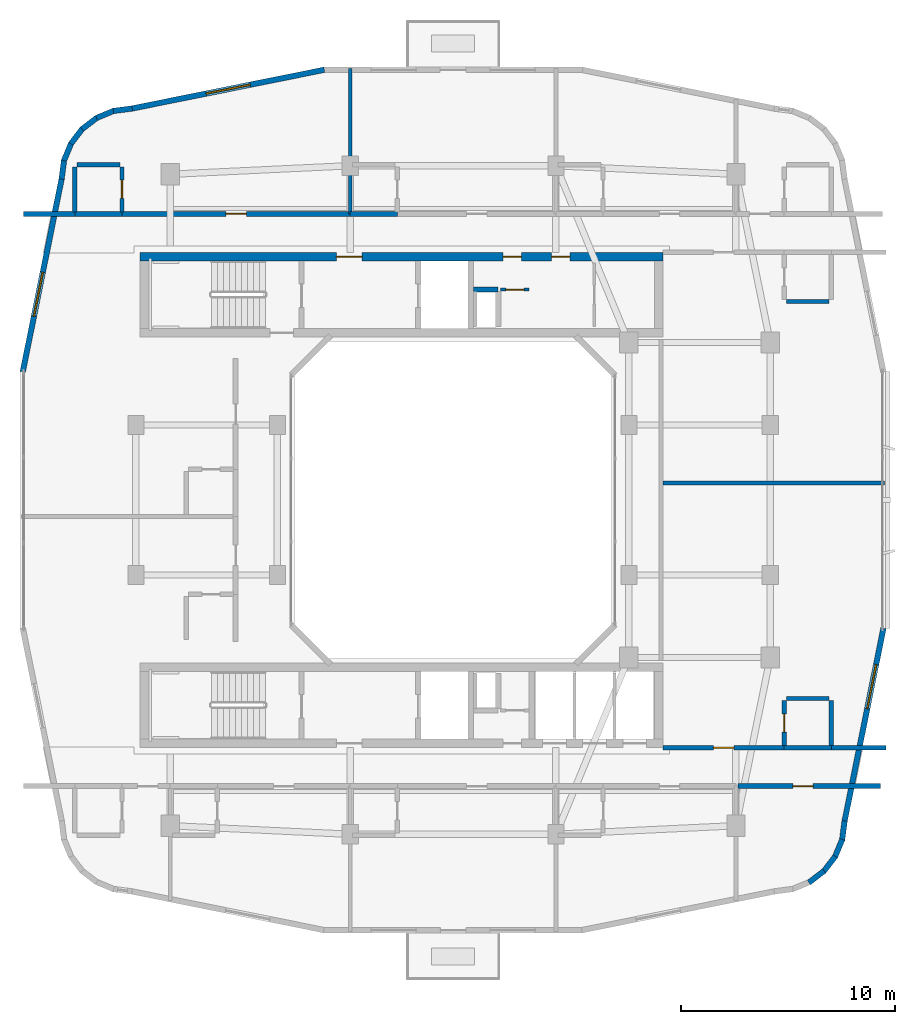
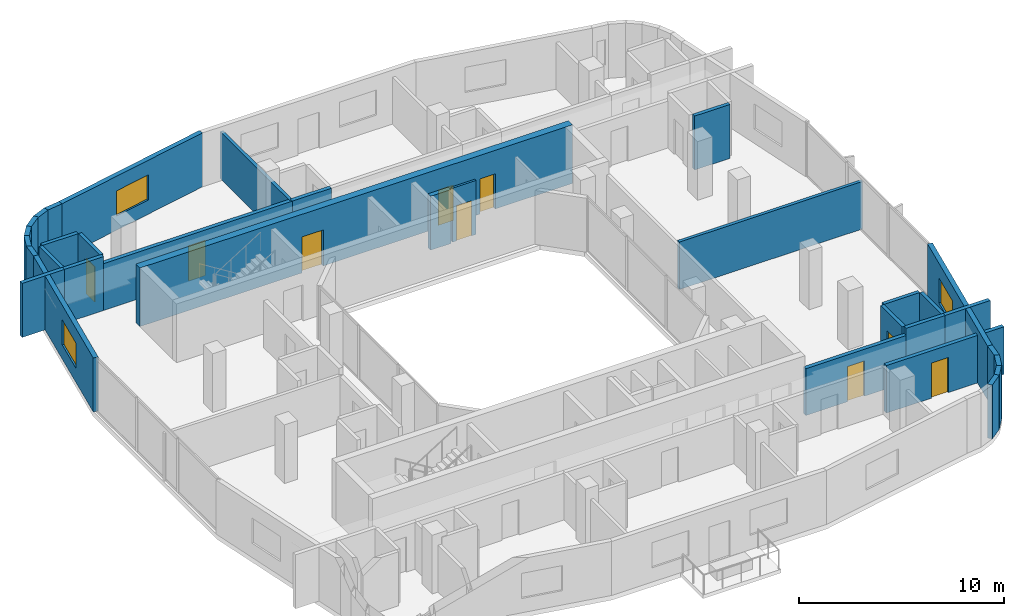
# One storey, part 7 of 13: 33 walls, 9 doors, 3 windows, 12 openings.
"""IFC4 building model written with IfcOpenShell, lengths in metres."""

import ifcopenshell
import ifcopenshell.guid

model = None  # the IFC model being written
_history = None  # IfcOwnerHistory: only IFC2X3 demands one
_inside = {}  # id of a spatial element -> (the spatial element, [elements in it])
_under = {}  # id of a project, library or spatial element -> (it, [spatial elements below it])
_declared = {}  # id of a project -> (the project, [libraries it declares])
_typed = {}  # id of a type object -> (the type object, [elements of that type])
_made_of = {}  # id of a material, layer set ... -> (it, [elements and type objects made of it])


def new_model(schema):
    """Start an empty IFC model of exactly this schema.

    Asked for "IFC4X3", IfcOpenShell would pick the latest addendum, in which some entities
    have other attributes; the version numbers below select the first issue.
    IFC2X3 requires an IfcOwnerHistory on every rooted entity: one is made here for all.
    """
    global model, _history
    if schema == "IFC4X3":
        model = ifcopenshell.file(schema_version=(4, 3, 0, 0))
    else:
        model = ifcopenshell.file(schema=schema)
    _inside.clear()
    _under.clear()
    _declared.clear()
    _typed.clear()
    _made_of.clear()
    _history = None
    if model.schema == "IFC2X3":
        org = make("IfcOrganization", Name="unknown")
        user = make(
            "IfcPersonAndOrganization",
            ThePerson=make("IfcPerson", FamilyName="unknown"),
            TheOrganization=org,
        )
        app = make(
            "IfcApplication",
            ApplicationDeveloper=org,
            Version="unknown",
            ApplicationFullName="unknown",
            ApplicationIdentifier="unknown",
        )
        _history = make(
            "IfcOwnerHistory",
            OwningUser=user,
            OwningApplication=app,
            ChangeAction="ADDED",
            CreationDate=0,
        )
    return model


def make(cls, **values):
    """One entity of the class cls with the attributes given. An attribute that is None is left unset."""
    return model.create_entity(
        cls, **{name: value for name, value in values.items() if value is not None}
    )


def rooted(cls, **values):
    """An entity with a GlobalId (a new one), such as an element, a storey or a relation."""
    return make(cls, GlobalId=ifcopenshell.guid.new(), OwnerHistory=_history, **values)


def si_unit(unit_type, name, prefix=None):
    """IfcSIUnit, for example si_unit("LENGTHUNIT", "METRE", prefix="MILLI")."""
    return make("IfcSIUnit", UnitType=unit_type, Prefix=prefix, Name=name)


def derived_unit(unit_type, elements):
    """IfcDerivedUnit: a product of units, each with its exponent."""
    return make(
        "IfcDerivedUnit",
        Elements=[
            make("IfcDerivedUnitElement", Unit=unit, Exponent=power)
            for unit, power in elements
        ],
        UnitType=unit_type,
    )


def assignment(units):
    """IfcUnitAssignment: the units of a project."""
    return None if units is None else make("IfcUnitAssignment", Units=units)


def point(xyz):
    """IfcCartesianPoint."""
    return None if xyz is None else make("IfcCartesianPoint", Coordinates=xyz)


def direction(xyz):
    """IfcDirection."""
    return None if xyz is None else make("IfcDirection", DirectionRatios=xyz)


def frame(location, z_axis=None, x_axis=None):
    """IfcAxis2Placement3D, a coordinate frame: its origin and axes. An axis left out is left unset."""
    return make(
        "IfcAxis2Placement3D",
        Location=point(location),
        Axis=direction(z_axis),
        RefDirection=direction(x_axis),
    )


def frame_2d(location, x_axis=None):
    """IfcAxis2Placement2D, a coordinate frame in the plane: its origin and x axis."""
    return make(
        "IfcAxis2Placement2D", Location=point(location), RefDirection=direction(x_axis)
    )


def origin():
    """The frame at (0, 0, 0) with its axes left unset."""
    return frame((0.0, 0.0, 0.0))


def place(relative_to, where):
    """IfcLocalPlacement: puts the frame where relative to a parent placement (None: the world)."""
    return make(
        "IfcLocalPlacement", PlacementRelTo=relative_to, RelativePlacement=where
    )


def context(
    kind, dimensions, precision=None, world=None, true_north=None, identifier=None
):
    """IfcGeometricRepresentationContext, for example the 3D "Model" context."""
    return make(
        "IfcGeometricRepresentationContext",
        ContextIdentifier=identifier,
        ContextType=kind,
        CoordinateSpaceDimension=dimensions,
        Precision=precision,
        WorldCoordinateSystem=world,
        TrueNorth=true_north,
    )


def subcontext(parent, identifier, kind, view, scale=None):
    """IfcGeometricRepresentationSubContext, for example "Body" below "Model"."""
    return make(
        "IfcGeometricRepresentationSubContext",
        ContextIdentifier=identifier,
        ContextType=kind,
        ParentContext=parent,
        TargetScale=scale,
        TargetView=view,
    )


def project(units=None, contexts=None):
    """IfcProject with its units and contexts."""
    return rooted(
        "IfcProject",
        Name="project",
        RepresentationContexts=contexts,
        UnitsInContext=assignment(units),
    )


def spatial(cls, under=None, at=None, **own):
    """A site, building, storey or space (cls), placed at a placement, below another one or the project."""
    s = rooted(cls, ObjectPlacement=at, **own)
    if under is not None:
        _under.setdefault(under.id(), (under, []))[1].append(s)
    return s


def profile(cls, at=None, kind="AREA", **sizes):
    """A parametric profile (cls). Its sizes go by their IFC names, for example OverallWidth=200.0."""
    return make(cls, ProfileType=kind, Position=at, **sizes)


def rectangle(**sizes):
    """IfcRectangleProfileDef."""
    return profile("IfcRectangleProfileDef", **sizes)


def extrude(swept, where, along, depth):
    """IfcExtrudedAreaSolid: the profile swept, set in the frame where, extruded along a direction by depth."""
    return make(
        "IfcExtrudedAreaSolid",
        SweptArea=swept,
        Position=where,
        ExtrudedDirection=direction(along),
        Depth=depth,
    )


def shape(context_of_items, identifier, shape_type, items):
    """IfcShapeRepresentation: the items that make up one representation, for example the "Body"."""
    return make(
        "IfcShapeRepresentation",
        ContextOfItems=context_of_items,
        RepresentationIdentifier=identifier,
        RepresentationType=shape_type,
        Items=items,
    )


def material(Name=None, Category=None):
    """IfcMaterial."""
    return make("IfcMaterial", Name=Name, Category=Category)


def layer(
    of_material, thickness, ventilated=None, Name=None, Category=None, Priority=None
):
    """IfcMaterialLayer: one layer of a wall or slab, of a material (None: an air gap)."""
    return make(
        "IfcMaterialLayer",
        Material=of_material,
        LayerThickness=thickness,
        IsVentilated=ventilated,
        Name=Name,
        Category=Category,
        Priority=Priority,
    )


def layer_set(layers, Name=None):
    """IfcMaterialLayerSet."""
    return make("IfcMaterialLayerSet", MaterialLayers=layers, LayerSetName=Name)


def made_of(thing, what):
    """Note that an element or type object is made of a material, layer set ...; save() writes the relation."""
    if what is not None:
        _made_of.setdefault(what.id(), (what, []))[1].append(thing)
    return thing


def type_object(cls, material=None, **own):
    """A type object (cls), such as IfcWallType, which elements share."""
    return made_of(rooted(cls, **own), material)


def element(
    cls,
    number,
    at=None,
    inside=None,
    cuts=None,
    type_object=None,
    material=None,
    context=None,
    identifier="Body",
    shape_type=None,
    held_by="IfcProductDefinitionShape",
    body=None,
    shapes=None,
    **own,
):
    """One element of the class cls, such as IfcWall. Its Tag is "e" and its number.

    at: its placement. inside: the storey or other place that contains it. cuts: it is an
    opening in that element (IfcRelVoidsElement). A single representation is given by context,
    identifier, shape_type and body (its items); several are given by shapes. held_by: the class
    of the entity that holds the representations. save() writes the other relations.
    """
    e = rooted(cls, Tag="e%d" % number, ObjectPlacement=at, **own)
    if body is not None:
        shapes = [shape(context, identifier, shape_type, body)]
    if shapes is not None:
        e.Representation = make(held_by, Representations=shapes)
    if inside is not None:
        _inside.setdefault(inside.id(), (inside, []))[1].append(e)
    if cuts is not None:
        rooted(
            "IfcRelVoidsElement", RelatingBuildingElement=cuts, RelatedOpeningElement=e
        )
    if type_object is not None:
        _typed.setdefault(type_object.id(), (type_object, []))[1].append(e)
    return made_of(e, material)


def fill(opening, filler):
    """IfcRelFillsElement: the door or window that sits in an opening."""
    return rooted(
        "IfcRelFillsElement",
        RelatingOpeningElement=opening,
        RelatedBuildingElement=filler,
    )


def aggregate(whole, parts):
    """IfcRelAggregates: a whole, such as a stair, and the parts it consists of."""
    return rooted("IfcRelAggregates", RelatingObject=whole, RelatedObjects=parts)


def save(model, path):
    """Write the relations noted so far, then the file.

    IfcRelAggregates (storeys below a building ...), IfcRelContainedInSpatialStructure (elements
    in a storey), IfcRelDefinesByType, IfcRelAssociatesMaterial and IfcRelDeclares: one each for
    every whole, place, type object, material and project.
    """
    for whole, parts in _under.values():
        aggregate(whole, parts)
    for where, things in _inside.values():
        rooted(
            "IfcRelContainedInSpatialStructure",
            RelatedElements=things,
            RelatingStructure=where,
        )
    for kind, things in _typed.values():
        rooted("IfcRelDefinesByType", RelatedObjects=things, RelatingType=kind)
    for what, things in _made_of.values():
        rooted("IfcRelAssociatesMaterial", RelatedObjects=things, RelatingMaterial=what)
    for by, libraries in _declared.values():
        rooted("IfcRelDeclares", RelatingContext=by, RelatedDefinitions=libraries)
    model.write(path)


model = new_model("IFC4")

# Units and contexts
model_context = context("Model", 3, precision=1e-05, world=origin(), true_north=direction((0.0, 1.0)))
body_context = subcontext(model_context, "Body", "Model", "MODEL_VIEW")
ifc_project = project(units=[si_unit("LENGTHUNIT", "METRE"), si_unit("AREAUNIT", "SQUARE_METRE"), si_unit("VOLUMEUNIT", "CUBIC_METRE"), si_unit("PLANEANGLEUNIT", "RADIAN"), si_unit("MASSUNIT", "GRAM", prefix="KILO"), derived_unit("THERMALTRANSMITTANCEUNIT", [(si_unit("POWERUNIT", "WATT"), 1), (si_unit("LENGTHUNIT", "METRE"), -2), (si_unit("THERMODYNAMICTEMPERATUREUNIT", "KELVIN"), -1)])], contexts=[model_context])

# Site, building, storey
site_placement = place(None, origin())
site = spatial("IfcSite", under=ifc_project, at=site_placement, CompositionType="ELEMENT")
building_placement = place(site_placement, origin())
building = spatial("IfcBuilding", under=site, at=building_placement, Name="Kivonza Crest Hotel", CompositionType="ELEMENT")
storey_placement = place(building_placement, frame((0.0, 0.0, 155.5)))
storey = spatial("IfcBuildingStorey", under=building, at=storey_placement, Name="L42", CompositionType="ELEMENT", Elevation=155.5)

# Walls
ifc_material_1 = material(Name="High-density acoustic masonry inter-tenancy wall", Category="masonry")
ifc_layer_1 = layer(ifc_material_1, 0.179931640625)
ifc_layer_set_1 = layer_set([ifc_layer_1], Name="High-density acoustic masonry inter-tenancy wall")
wall_type_1 = type_object("IfcWallType", Name="WL-ACOU-180", PredefinedType="SOLIDWALL", material=ifc_layer_set_1)
wall_1_placement = place(storey_placement, frame((16.199951171875, 38.35009765625, 0.0), z_axis=(0.0, 0.0, 1.0), x_axis=(0.0, 1.0, 0.0)))
element("IfcWall", 1, at=wall_1_placement, inside=storey, type_object=wall_type_1, Name="L42 interior partition WA-L42-T1N-DIV1", PredefinedType="SOLIDWALL", context=body_context, shape_type="SweptSolid", body=[
    extrude(rectangle(XDim=6.789794921875, YDim=0.179931640625, at=frame_2d((3.39501953125, 0.0))), origin(), (0.0, 0.0, 1.0), 2.794921875),
])
wall_2_placement = place(storey_placement, frame((30.800048828125, 25.800048828125, 0.0), z_axis=(0.0, 0.0, 1.0), x_axis=(1.0, 0.0, 0.0)))
element("IfcWall", 2, at=wall_2_placement, inside=storey, type_object=wall_type_1, Name="L42 interior partition WA-L42-T1EC-DIV", PredefinedType="SOLIDWALL", context=body_context, shape_type="SweptSolid", body=[
    extrude(rectangle(XDim=10.33984375, YDim=0.179931640625, at=frame_2d((5.169921875, 0.0))), origin(), (0.0, 0.0, 1.0), 2.8349609375),
])
ifc_material_2 = material(Name="Autoclaved aerated concrete blockwork", Category="masonry")
ifc_layer_2 = layer(ifc_material_2, 0.219970703125)
ifc_layer_set_2 = layer_set([ifc_layer_2], Name="Autoclaved aerated concrete blockwork")
wall_type_2 = type_object("IfcWallType", Name="WL-ACOU-220", PredefinedType="SOLIDWALL", material=ifc_layer_set_2)
wall_3_placement = place(storey_placement, frame((0.9599609375, 38.35009765625, 0.0), z_axis=(0.0, 0.0, 1.0), x_axis=(1.0, 0.0, 0.0)))
element("IfcWall", 3, at=wall_3_placement, inside=storey, type_object=wall_type_2, Name="L42 interior partition WA-L42-N01-XCORR", PredefinedType="SOLIDWALL", context=body_context, shape_type="SweptSolid", body=[
    extrude(rectangle(XDim=2.39013671875, YDim=0.219970703125, at=frame_2d((1.195068359375, 0.0))), origin(), (0.0, 0.0, 1.0), 3.219970703125),
])
wall_4_placement = place(storey_placement, frame((3.35009765625, 38.35009765625, 0.0), z_axis=(0.0, 0.0, 1.0), x_axis=(1.0, 0.0, 0.0)))
element("IfcWall", 4, at=wall_4_placement, inside=storey, type_object=wall_type_2, Name="L42 interior partition WA-L42-N01-BCORR", PredefinedType="SOLIDWALL", context=body_context, shape_type="SweptSolid", body=[
    extrude(rectangle(XDim=2.199951171875, YDim=0.219970703125, at=frame_2d((1.10009765625, 0.0))), origin(), (0.0, 0.0, 1.0), 3.219970703125),
])

# Wall, opening, door
wall_5_placement = place(storey_placement, frame((5.550048828125, 38.35009765625, 0.0), z_axis=(0.0, 0.0, 1.0), x_axis=(1.0, 0.0, 0.0)))
wall_5 = element("IfcWall", 5, at=wall_5_placement, inside=storey, type_object=wall_type_2, Name="L42 interior partition WA-L42-N01-MCORR", PredefinedType="SOLIDWALL", context=body_context, shape_type="SweptSolid", body=[
    extrude(rectangle(XDim=10.64990234375, YDim=0.219970703125, at=frame_2d((5.324951171875, 0.0))), origin(), (0.0, 0.0, 1.0), 2.794921875),
])
opening_1_placement = place(wall_5_placement, frame((4.85009765625, 0.0, 0.0)))
opening_1 = element("IfcOpeningElement", 6, at=opening_1_placement, cuts=wall_5, Name="Opening DU-60", PredefinedType="OPENING", context=body_context, shape_type="SweptSolid", body=[
    extrude(rectangle(XDim=0.949951171875, YDim=2.10009765625, at=frame_2d((0.47509765625, 1.050048828125))), frame((0.0, 0.1201171875, 0.0), z_axis=(0.0, -1.0, 0.0), x_axis=(1.0, 0.0, 0.0)), (0.0, 0.0, 1.0), 0.239990234375),
])
ifc_material_3 = material(Name="Hardwood timber oak", Category="wood")
door_type_1 = type_object("IfcDoorType", Name="DR-UNIT-950", OperationType="NOTDEFINED", PredefinedType="DOOR", material=ifc_material_3)
door_1_placement = place(opening_1_placement, origin())
door_1 = element("IfcDoor", 7, at=door_1_placement, inside=storey, type_object=door_type_1, Name="L42 N01 guest unit entrance fire door", OperationType="SINGLE_SWING_LEFT", OverallHeight=2.10009765625, OverallWidth=0.949951171875, PredefinedType="DOOR", context=body_context, shape_type="SweptSolid", body=[
    extrude(rectangle(XDim=0.949951171875, YDim=2.10009765625, at=frame_2d((0.47509765625, 1.050048828125))), frame((0.0, 0.02490234375, 0.0), z_axis=(0.0, -1.0, 0.0), x_axis=(1.0, 0.0, 0.0)), (0.0, 0.0, 1.0), 0.050048828125),
])
fill(opening_1, door_1)

# Wall
wall_6_placement = place(storey_placement, frame((16.199951171875, 38.35009765625, 0.0), z_axis=(0.0, 0.0, 1.0), x_axis=(1.0, 0.0, 0.0)))
element("IfcWall", 8, at=wall_6_placement, inside=storey, type_object=wall_type_2, Name="L42 interior partition WA-L42-N02-BCORR", PredefinedType="SOLIDWALL", context=body_context, shape_type="SweptSolid", body=[
    extrude(rectangle(XDim=2.199951171875, YDim=0.219970703125, at=frame_2d((1.10009765625, 0.0))), origin(), (0.0, 0.0, 1.0), 2.794921875),
])

# Wall, opening, door
wall_7_placement = place(storey_placement, frame((34.300048828125, 11.64990234375, 0.0), z_axis=(0.0, 0.0, 1.0), x_axis=(1.0, 0.0, 0.0)))
wall_7 = element("IfcWall", 9, at=wall_7_placement, inside=storey, type_object=wall_type_2, Name="L42 interior partition WA-L42-BUS-MTG-N", PredefinedType="SOLIDWALL", context=body_context, shape_type="SweptSolid", body=[
    extrude(rectangle(XDim=6.639892578125, YDim=0.219970703125, at=frame_2d((3.31982421875, 0.0))), origin(), (0.0, 0.0, 1.0), 2.8349609375),
])
opening_2_placement = place(wall_7_placement, frame((2.550048828125, 0.0, 0.0)))
opening_2 = element("IfcOpeningElement", 10, at=opening_2_placement, cuts=wall_7, Name="Opening DF-60S", PredefinedType="OPENING", context=body_context, shape_type="SweptSolid", body=[
    extrude(rectangle(XDim=0.949951171875, YDim=2.10009765625, at=frame_2d((0.47509765625, 1.050048828125))), frame((0.0, 0.1201171875, 0.0), z_axis=(0.0, -1.0, 0.0), x_axis=(1.0, 0.0, 0.0)), (0.0, 0.0, 1.0), 0.239990234375),
])
door_type_2 = type_object("IfcDoorType", Name="DR-FD60-950", OperationType="NOTDEFINED", PredefinedType="DOOR", material=ifc_material_3)
door_2_placement = place(opening_2_placement, frame((0.949951171875, 0.0, 0.0), z_axis=(0.0, 0.0, 1.0), x_axis=(-1.0, 0.0, 0.0)))
door_2 = element("IfcDoor", 11, at=door_2_placement, inside=storey, type_object=door_type_2, Name="L42 Floor Beverage Kitchen door", OperationType="SINGLE_SWING_RIGHT", OverallHeight=2.10009765625, OverallWidth=0.949951171875, PredefinedType="DOOR", context=body_context, shape_type="SweptSolid", body=[
    extrude(rectangle(XDim=0.949951171875, YDim=2.10009765625, at=frame_2d((0.47509765625, 1.050048828125))), frame((0.0, 0.02490234375, 0.0), z_axis=(0.0, -1.0, 0.0), x_axis=(1.0, 0.0, 0.0)), (0.0, 0.0, 1.0), 0.050048828125),
])
fill(opening_2, door_2)

# Walls
wall_8_placement = place(storey_placement, frame((38.64990234375, 13.43994140625, 0.0), z_axis=(0.0, 0.0, 1.0), x_axis=(1.0, 0.0, 0.0)))
element("IfcWall", 12, at=wall_8_placement, inside=storey, type_object=wall_type_2, Name="L42 interior partition WA-L42-ES11-XCORR", PredefinedType="SOLIDWALL", context=body_context, shape_type="SweptSolid", body=[
    extrude(rectangle(XDim=2.550048828125, YDim=0.219970703125, at=frame_2d((1.27490234375, 0.0))), origin(), (0.0, 0.0, 1.0), 3.219970703125),
])
wall_9_placement = place(storey_placement, frame((36.449951171875, 13.43994140625, 0.0), z_axis=(0.0, 0.0, 1.0), x_axis=(1.0, 0.0, 0.0)))
element("IfcWall", 13, at=wall_9_placement, inside=storey, type_object=wall_type_2, Name="L42 interior partition WA-L42-ES11-BCORR", PredefinedType="SOLIDWALL", context=body_context, shape_type="SweptSolid", body=[
    extrude(rectangle(XDim=2.199951171875, YDim=0.219970703125, at=frame_2d((1.10009765625, 0.0))), origin(), (0.0, 0.0, 1.0), 3.219970703125),
])

# Wall, opening, door
wall_10_placement = place(storey_placement, frame((30.800048828125, 13.43994140625, 0.0), z_axis=(0.0, 0.0, 1.0), x_axis=(1.0, 0.0, 0.0)))
wall_10 = element("IfcWall", 14, at=wall_10_placement, inside=storey, type_object=wall_type_2, Name="L42 interior partition WA-L42-ES11-MCORR", PredefinedType="SOLIDWALL", context=body_context, shape_type="SweptSolid", body=[
    extrude(rectangle(XDim=5.64990234375, YDim=0.219970703125, at=frame_2d((2.824951171875, 0.0))), origin(), (0.0, 0.0, 1.0), 2.794921875),
])
opening_3_placement = place(wall_10_placement, frame((2.35009765625, 0.0, 0.0)))
opening_3 = element("IfcOpeningElement", 15, at=opening_3_placement, cuts=wall_10, Name="Opening DU-60", PredefinedType="OPENING", context=body_context, shape_type="SweptSolid", body=[
    extrude(rectangle(XDim=0.949951171875, YDim=2.10009765625, at=frame_2d((0.47509765625, 1.050048828125))), frame((0.0, 0.1201171875, 0.0), z_axis=(0.0, -1.0, 0.0), x_axis=(1.0, 0.0, 0.0)), (0.0, 0.0, 1.0), 0.239990234375),
])
door_3_placement = place(opening_3_placement, origin())
door_3 = element("IfcDoor", 16, at=door_3_placement, inside=storey, type_object=door_type_1, Name="L42 ES11 guest unit entrance fire door", OperationType="SINGLE_SWING_RIGHT", OverallHeight=2.10009765625, OverallWidth=0.949951171875, PredefinedType="DOOR", context=body_context, shape_type="SweptSolid", body=[
    extrude(rectangle(XDim=0.949951171875, YDim=2.10009765625, at=frame_2d((0.47509765625, 1.050048828125))), frame((0.0, 0.02490234375, 0.0), z_axis=(0.0, -1.0, 0.0), x_axis=(1.0, 0.0, 0.0)), (0.0, 0.0, 1.0), 0.050048828125),
])
fill(opening_3, door_3)

# Wall, openings, doors
ifc_material_4 = material(Name="Concrete C50/60", Category="concrete")
ifc_layer_3 = layer(ifc_material_4, 0.39990234375)
ifc_layer_set_3 = layer_set([ifc_layer_3], Name="Concrete C50/60")
wall_type_3 = type_object("IfcWallType", Name="WL-CORE-400", PredefinedType="SHEAR", material=ifc_layer_set_3)
wall_11_placement = place(storey_placement, frame((6.39990234375, 36.360107421875, 0.0), z_axis=(0.0, 0.0, 1.0), x_axis=(1.0, 0.0, 0.0)))
wall_11 = element("IfcWall", 17, at=wall_11_placement, inside=storey, type_object=wall_type_3, Name="Core wall T1-N North L42", PredefinedType="SHEAR", context=body_context, shape_type="SweptSolid", body=[
    extrude(rectangle(XDim=24.400146484375, YDim=0.39990234375, at=frame_2d((12.2001953125, 0.0))), origin(), (0.0, 0.0, 1.0), 3.5),
])
opening_4_placement = place(wall_11_placement, frame((9.14990234375, 0.0, 0.0)))
opening_4 = element("IfcOpeningElement", 18, at=opening_4_placement, cuts=wall_11, Name="Opening DF-60", PredefinedType="OPENING", context=body_context, shape_type="SweptSolid", body=[
    extrude(rectangle(XDim=1.199951171875, YDim=2.14990234375, at=frame_2d((0.60009765625, 1.074951171875))), frame((0.0, 0.2099609375, 0.0), z_axis=(0.0, -1.0, 0.0), x_axis=(1.0, 0.0, 0.0)), (0.0, 0.0, 1.0), 0.419921875),
])
opening_5_placement = place(wall_11_placement, frame((19.199951171875, 0.0, 0.0)))
opening_5 = element("IfcOpeningElement", 19, at=opening_5_placement, cuts=wall_11, Name="Opening DF-60R", PredefinedType="OPENING", context=body_context, shape_type="SweptSolid", body=[
    extrude(rectangle(XDim=0.85009765625, YDim=2.10009765625, at=frame_2d((0.425048828125, 1.050048828125))), frame((0.0, 0.2099609375, 0.0), z_axis=(0.0, -1.0, 0.0), x_axis=(1.0, 0.0, 0.0)), (0.0, 0.0, 1.0), 0.419921875),
])
opening_6_placement = place(wall_11_placement, frame((16.93994140625, 0.0, 0.0)))
opening_6 = element("IfcOpeningElement", 20, at=opening_6_placement, cuts=wall_11, Name="Opening DF-60R", PredefinedType="OPENING", context=body_context, shape_type="SweptSolid", body=[
    extrude(rectangle(XDim=0.85009765625, YDim=2.10009765625, at=frame_2d((0.425048828125, 1.050048828125))), frame((0.0, 0.2099609375, 0.0), z_axis=(0.0, -1.0, 0.0), x_axis=(1.0, 0.0, 0.0)), (0.0, 0.0, 1.0), 0.419921875),
])
door_type_3 = type_object("IfcDoorType", Name="DR-FD60-1200", OperationType="NOTDEFINED", PredefinedType="DOOR", material=ifc_material_3)
door_4_placement = place(opening_4_placement, origin())
door_4 = element("IfcDoor", 21, at=door_4_placement, inside=storey, type_object=door_type_3, Name="L42 T1-N firefighting lobby fire door", OperationType="SINGLE_SWING_RIGHT", OverallHeight=2.14990234375, OverallWidth=1.199951171875, PredefinedType="DOOR", context=body_context, shape_type="SweptSolid", body=[
    extrude(rectangle(XDim=1.199951171875, YDim=2.14990234375, at=frame_2d((0.60009765625, 1.074951171875))), frame((0.0, 0.02490234375, 0.0), z_axis=(0.0, -1.0, 0.0), x_axis=(1.0, 0.0, 0.0)), (0.0, 0.0, 1.0), 0.050048828125),
])
fill(opening_4, door_4)
door_type_4 = type_object("IfcDoorType", Name="DR-FD60-850", OperationType="NOTDEFINED", PredefinedType="DOOR", material=ifc_material_3)
door_5_placement = place(opening_5_placement, origin())
door_5 = element("IfcDoor", 22, at=door_5_placement, inside=storey, type_object=door_type_4, Name="L42 T1-N reclaimed core service door", OperationType="SINGLE_SWING_LEFT", OverallHeight=2.10009765625, OverallWidth=0.85009765625, PredefinedType="DOOR", context=body_context, shape_type="SweptSolid", body=[
    extrude(rectangle(XDim=0.85009765625, YDim=2.10009765625, at=frame_2d((0.425048828125, 1.050048828125))), frame((0.0, 0.02490234375, 0.0), z_axis=(0.0, -1.0, 0.0), x_axis=(1.0, 0.0, 0.0)), (0.0, 0.0, 1.0), 0.050048828125),
])
fill(opening_5, door_5)
door_6_placement = place(opening_6_placement, origin())
door_6 = element("IfcDoor", 23, at=door_6_placement, inside=storey, type_object=door_type_4, Name="L42 T1-N core room door", OperationType="SINGLE_SWING_RIGHT", OverallHeight=2.10009765625, OverallWidth=0.85009765625, PredefinedType="DOOR", context=body_context, shape_type="SweptSolid", body=[
    extrude(rectangle(XDim=0.85009765625, YDim=2.10009765625, at=frame_2d((0.425048828125, 1.050048828125))), frame((0.0, 0.02490234375, 0.0), z_axis=(0.0, -1.0, 0.0), x_axis=(1.0, 0.0, 0.0)), (0.0, 0.0, 1.0), 0.050048828125),
])
fill(opening_6, door_6)

# Walls
ifc_material_5 = material(Name="Precast concrete C40/50", Category="concrete")
ifc_layer_4 = layer(ifc_material_5, 0.260009765625)
ifc_layer_set_4 = layer_set([ifc_layer_4], Name="Precast concrete C40/50")
wall_type_4 = type_object("IfcWallType", Name="WL-EXT-260", PredefinedType="STANDARD", material=ifc_layer_set_4)
wall_12_placement = place(storey_placement, frame((37.60107421875, 7.14404296875, 0.0), z_axis=(0.0, 0.0, 1.0), x_axis=(0.793458244748, 0.608624690463, 0.0)))
element("IfcWall", 24, at=wall_12_placement, inside=storey, type_object=wall_type_4, Name="L42 T1 exterior insulated wall 12", PredefinedType="STANDARD", context=body_context, shape_type="SweptSolid", body=[
    extrude(rectangle(XDim=0.902099609375, YDim=0.260009765625, at=frame_2d((0.451171875, 0.0))), origin(), (0.0, 0.0, 1.0), 3.219970703125),
])
wall_13_placement = place(storey_placement, frame((38.285888671875, 7.655029296875, 0.0), z_axis=(0.0, 0.0, 1.0), x_axis=(0.608494022858, 0.793558456666, 0.0)))
element("IfcWall", 25, at=wall_13_placement, inside=storey, type_object=wall_type_4, Name="L42 T1 exterior insulated wall 13", PredefinedType="STANDARD", context=body_context, shape_type="SweptSolid", body=[
    extrude(rectangle(XDim=0.90234375, YDim=0.260009765625, at=frame_2d((0.451171875, 0.0))), origin(), (0.0, 0.0, 1.0), 3.219970703125),
])
wall_14_placement = place(storey_placement, frame((38.81396484375, 8.326904296875, 0.0), z_axis=(0.0, 0.0, 1.0), x_axis=(0.383155708213, 0.923683767999, 0.0)))
element("IfcWall", 26, at=wall_14_placement, inside=storey, type_object=wall_type_4, Name="L42 T1 exterior insulated wall 14", PredefinedType="STANDARD", context=body_context, shape_type="SweptSolid", body=[
    extrude(rectangle(XDim=0.90283203125, YDim=0.260009765625, at=frame_2d((0.451416015625, 0.0))), origin(), (0.0, 0.0, 1.0), 3.219970703125),
])
wall_15_placement = place(storey_placement, frame((39.152099609375, 9.112060546875, 0.0), z_axis=(0.0, 0.0, 1.0), x_axis=(0.130200706103, 0.991487658083, 0.0)))
element("IfcWall", 27, at=wall_15_placement, inside=storey, type_object=wall_type_4, Name="L42 T1 exterior insulated wall 15", PredefinedType="STANDARD", context=body_context, shape_type="SweptSolid", body=[
    extrude(rectangle(XDim=0.920654296875, YDim=0.260009765625, at=frame_2d((0.46044921875, 0.0))), origin(), (0.0, 0.0, 1.0), 3.219970703125),
])

# Wall, opening, window
wall_16_placement = place(storey_placement, frame((39.27099609375, 10.01806640625, 0.0), z_axis=(0.0, 0.0, 1.0), x_axis=(0.197435082048, 0.980315963543, 0.0)))
wall_16 = element("IfcWall", 28, at=wall_16_placement, inside=storey, type_object=wall_type_4, Name="L42 T1 exterior insulated wall 16", PredefinedType="STANDARD", context=body_context, shape_type="SweptSolid", body=[
    extrude(rectangle(XDim=9.1826171875, YDim=0.260009765625, at=frame_2d((4.59130859375, 0.0))), origin(), (0.0, 0.0, 1.0), 3.219970703125),
])
opening_7_placement = place(wall_16_placement, frame((5.34912109375, 0.0, 0.85009765625)))
opening_7 = element("IfcOpeningElement", 29, at=opening_7_placement, cuts=wall_16, Name="Opening WN-04", PredefinedType="OPENING", context=body_context, shape_type="SweptSolid", body=[
    extrude(rectangle(XDim=2.10009765625, YDim=1.5, at=frame_2d((1.050048828125, 0.75))), frame((0.0, 0.14013671875, 0.0), z_axis=(0.0, -1.0, 0.0), x_axis=(1.0, 0.0, 0.0)), (0.0, 0.0, 1.0), 0.280029296875),
])
ifc_material_6 = material(Name="Thermally broken bronze aluminium and low-E double glazing", Category="aluminium")
window_type = type_object("IfcWindowType", Name="WN-210x150", PartitioningType="DOUBLE_PANEL_VERTICAL", PredefinedType="WINDOW", material=ifc_material_6)
window_1_placement = place(opening_7_placement, origin())
window_1 = element("IfcWindow", 30, at=window_1_placement, inside=storey, type_object=window_type, Name="L42 T1 facade window 16", OverallHeight=1.5, OverallWidth=2.10009765625, PartitioningType="SINGLE_PANEL", PredefinedType="WINDOW", context=body_context, shape_type="SweptSolid", body=[
    extrude(rectangle(XDim=2.10009765625, YDim=1.5, at=frame_2d((1.050048828125, 0.75))), frame((0.0, 0.030029296875, 0.0), z_axis=(0.0, -1.0, 0.0), x_axis=(1.0, 0.0, 0.0)), (0.0, 0.0, 1.0), 0.06005859375),
])
fill(opening_7, window_1)

wall_17_placement = place(storey_placement, frame((14.990966796875, 45.077880859375, 0.0), z_axis=(0.0, 0.0, 1.0), x_axis=(-0.980321298532, -0.197408590603, 0.0)))
wall_17 = element("IfcWall", 31, at=wall_17_placement, inside=storey, type_object=wall_type_4, Name="L42 T1 exterior insulated wall 27", PredefinedType="STANDARD", context=body_context, shape_type="SweptSolid", body=[
    extrude(rectangle(XDim=9.153076171875, YDim=0.260009765625, at=frame_2d((4.57666015625, 0.0))), origin(), (0.0, 0.0, 1.0), 3.219970703125),
])
opening_8_placement = place(wall_17_placement, frame((3.527099609375, 0.0, 0.85009765625)))
opening_8 = element("IfcOpeningElement", 32, at=opening_8_placement, cuts=wall_17, Name="Opening WN-04", PredefinedType="OPENING", context=body_context, shape_type="SweptSolid", body=[
    extrude(rectangle(XDim=2.10009765625, YDim=1.5, at=frame_2d((1.050048828125, 0.75))), frame((0.0, 0.14013671875, 0.0), z_axis=(0.0, -1.0, 0.0), x_axis=(1.0, 0.0, 0.0)), (0.0, 0.0, 1.0), 0.280029296875),
])
window_2_placement = place(opening_8_placement, origin())
window_2 = element("IfcWindow", 33, at=window_2_placement, inside=storey, type_object=window_type, Name="L42 T1 facade window 27", OverallHeight=1.5, OverallWidth=2.10009765625, PartitioningType="SINGLE_PANEL", PredefinedType="WINDOW", context=body_context, shape_type="SweptSolid", body=[
    extrude(rectangle(XDim=2.10009765625, YDim=1.5, at=frame_2d((1.050048828125, 0.75))), frame((0.0, 0.030029296875, 0.0), z_axis=(0.0, -1.0, 0.0), x_axis=(1.0, 0.0, 0.0)), (0.0, 0.0, 1.0), 0.06005859375),
])
fill(opening_8, window_2)

# Walls
wall_18_placement = place(storey_placement, frame((6.02490234375, 43.27197265625, 0.0), z_axis=(0.0, 0.0, 1.0), x_axis=(-0.991388484223, -0.130953706898, 0.0)))
element("IfcWall", 34, at=wall_18_placement, inside=storey, type_object=wall_type_4, Name="L42 T1 exterior insulated wall 28", PredefinedType="STANDARD", context=body_context, shape_type="SweptSolid", body=[
    extrude(rectangle(XDim=0.885498046875, YDim=0.260009765625, at=frame_2d((0.44287109375, 0.0))), origin(), (0.0, 0.0, 1.0), 3.219970703125),
])
wall_19_placement = place(storey_placement, frame((5.193115234375, 43.174072265625, 0.0), z_axis=(0.0, 0.0, 1.0), x_axis=(-0.923627776508, -0.383290660547, 0.0)))
element("IfcWall", 35, at=wall_19_placement, inside=storey, type_object=wall_type_4, Name="L42 T1 exterior insulated wall 29", PredefinedType="STANDARD", context=body_context, shape_type="SweptSolid", body=[
    extrude(rectangle(XDim=0.9033203125, YDim=0.260009765625, at=frame_2d((0.45166015625, 0.0))), origin(), (0.0, 0.0, 1.0), 3.219970703125),
])
wall_20_placement = place(storey_placement, frame((4.39892578125, 42.85595703125, 0.0), z_axis=(0.0, 0.0, 1.0), x_axis=(-0.793458244748, -0.608624690463, 0.0)))
element("IfcWall", 36, at=wall_20_placement, inside=storey, type_object=wall_type_4, Name="L42 T1 exterior insulated wall 30", PredefinedType="STANDARD", context=body_context, shape_type="SweptSolid", body=[
    extrude(rectangle(XDim=0.902099609375, YDim=0.260009765625, at=frame_2d((0.451171875, 0.0))), origin(), (0.0, 0.0, 1.0), 3.219970703125),
])
wall_21_placement = place(storey_placement, frame((3.714111328125, 42.344970703125, 0.0), z_axis=(0.0, 0.0, 1.0), x_axis=(-0.608494022858, -0.793558456666, 0.0)))
element("IfcWall", 37, at=wall_21_placement, inside=storey, type_object=wall_type_4, Name="L42 T1 exterior insulated wall 31", PredefinedType="STANDARD", context=body_context, shape_type="SweptSolid", body=[
    extrude(rectangle(XDim=0.90234375, YDim=0.260009765625, at=frame_2d((0.451171875, 0.0))), origin(), (0.0, 0.0, 1.0), 3.219970703125),
])
wall_22_placement = place(storey_placement, frame((3.18603515625, 41.673095703125, 0.0), z_axis=(0.0, 0.0, 1.0), x_axis=(-0.383155708213, -0.923683767999, 0.0)))
element("IfcWall", 38, at=wall_22_placement, inside=storey, type_object=wall_type_4, Name="L42 T1 exterior insulated wall 32", PredefinedType="STANDARD", context=body_context, shape_type="SweptSolid", body=[
    extrude(rectangle(XDim=0.90283203125, YDim=0.260009765625, at=frame_2d((0.451416015625, 0.0))), origin(), (0.0, 0.0, 1.0), 3.219970703125),
])
wall_23_placement = place(storey_placement, frame((2.847900390625, 40.887939453125, 0.0), z_axis=(0.0, 0.0, 1.0), x_axis=(-0.130200706103, -0.991487658083, 0.0)))
element("IfcWall", 39, at=wall_23_placement, inside=storey, type_object=wall_type_4, Name="L42 T1 exterior insulated wall 33", PredefinedType="STANDARD", context=body_context, shape_type="SweptSolid", body=[
    extrude(rectangle(XDim=0.920654296875, YDim=0.260009765625, at=frame_2d((0.46044921875, 0.0))), origin(), (0.0, 0.0, 1.0), 3.219970703125),
])

# Wall, opening, window
wall_24_placement = place(storey_placement, frame((2.72900390625, 39.98193359375, 0.0), z_axis=(0.0, 0.0, 1.0), x_axis=(-0.197435082048, -0.980315963543, 0.0)))
wall_24 = element("IfcWall", 40, at=wall_24_placement, inside=storey, type_object=wall_type_4, Name="L42 T1 exterior insulated wall 34", PredefinedType="STANDARD", context=body_context, shape_type="SweptSolid", body=[
    extrude(rectangle(XDim=9.1826171875, YDim=0.260009765625, at=frame_2d((4.59130859375, 0.0))), origin(), (0.0, 0.0, 1.0), 3.219970703125),
])
opening_9_placement = place(wall_24_placement, frame((4.43603515625, 0.0, 0.85009765625)))
opening_9 = element("IfcOpeningElement", 41, at=opening_9_placement, cuts=wall_24, Name="Opening WN-04", PredefinedType="OPENING", context=body_context, shape_type="SweptSolid", body=[
    extrude(rectangle(XDim=2.10009765625, YDim=1.5, at=frame_2d((1.050048828125, 0.75))), frame((0.0, 0.14013671875, 0.0), z_axis=(0.0, -1.0, 0.0), x_axis=(1.0, 0.0, 0.0)), (0.0, 0.0, 1.0), 0.280029296875),
])
window_3_placement = place(opening_9_placement, origin())
window_3 = element("IfcWindow", 42, at=window_3_placement, inside=storey, type_object=window_type, Name="L42 T1 facade window 34", OverallHeight=1.5, OverallWidth=2.10009765625, PartitioningType="SINGLE_PANEL", PredefinedType="WINDOW", context=body_context, shape_type="SweptSolid", body=[
    extrude(rectangle(XDim=2.10009765625, YDim=1.5, at=frame_2d((1.050048828125, 0.75))), frame((0.0, 0.030029296875, 0.0), z_axis=(0.0, -1.0, 0.0), x_axis=(1.0, 0.0, 0.0)), (0.0, 0.0, 1.0), 0.06005859375),
])
fill(opening_9, window_3)

# Wall
ifc_material_7 = material(Name="Concrete blockwork fire-compartment wall", Category="masonry")
ifc_layer_5 = layer(ifc_material_7, 0.25)
ifc_layer_set_5 = layer_set([ifc_layer_5], Name="Concrete blockwork fire-compartment wall")
wall_type_5 = type_object("IfcWallType", Name="WL-FIRE-250", PredefinedType="SOLIDWALL", material=ifc_layer_set_5)
wall_25_placement = place(storey_placement, frame((21.949951171875, 34.820068359375, 0.0), z_axis=(0.0, 0.0, 1.0), x_axis=(1.0, 0.0, 0.0)))
element("IfcWall", 43, at=wall_25_placement, inside=storey, type_object=wall_type_5, Name="L42 interior partition WA-L42-T1-N-MEPR-H", PredefinedType="SOLIDWALL", context=body_context, shape_type="SweptSolid", body=[
    extrude(rectangle(XDim=1.150146484375, YDim=0.25, at=frame_2d((0.5751953125, 0.0))), origin(), (0.0, 0.0, 1.0), 3.219970703125),
])

# Wall, opening, door
ifc_material_8 = material(Name="Metal-stud gypsum board partition", Category="gypsum")
ifc_layer_6 = layer(ifc_material_8, 0.125)
ifc_layer_set_6 = layer_set([ifc_layer_6], Name="Metal-stud gypsum board partition")
wall_type_6 = type_object("IfcWallType", Name="WL-PART-125", PredefinedType="PARTITIONING", material=ifc_layer_set_6)
wall_26_placement = place(storey_placement, frame((23.219970703125, 34.820068359375, 0.0), z_axis=(0.0, 0.0, 1.0), x_axis=(1.0, 0.0, 0.0)))
wall_26 = element("IfcWall", 44, at=wall_26_placement, inside=storey, type_object=wall_type_6, Name="L42 interior partition WP-L42-T1-N-SV3H", PredefinedType="PARTITIONING", context=body_context, shape_type="SweptSolid", body=[
    extrude(rectangle(XDim=1.330078125, YDim=0.125, at=frame_2d((0.6650390625, 0.0))), origin(), (0.0, 0.0, 1.0), 3.219970703125),
])
opening_10_placement = place(wall_26_placement, frame((0.239990234375, 0.0, 0.0)))
opening_10 = element("IfcOpeningElement", 45, at=opening_10_placement, cuts=wall_26, Name="Opening DI-85", PredefinedType="OPENING", context=body_context, shape_type="SweptSolid", body=[
    extrude(rectangle(XDim=0.85009765625, YDim=2.10009765625, at=frame_2d((0.425048828125, 1.050048828125))), frame((0.0, 0.072509765625, 0.0), z_axis=(0.0, -1.0, 0.0), x_axis=(1.0, 0.0, 0.0)), (0.0, 0.0, 1.0), 0.14501953125),
])
door_type_5 = type_object("IfcDoorType", Name="DR-INT-850", OperationType="NOTDEFINED", PredefinedType="DOOR", material=ifc_material_3)
door_7_placement = place(opening_10_placement, origin())
door_7 = element("IfcDoor", 46, at=door_7_placement, inside=storey, type_object=door_type_5, Name="L42 T1-N inner manifold door", OperationType="SINGLE_SWING_LEFT", OverallHeight=2.10009765625, OverallWidth=0.85009765625, PredefinedType="DOOR", context=body_context, shape_type="SweptSolid", body=[
    extrude(rectangle(XDim=0.85009765625, YDim=2.10009765625, at=frame_2d((0.425048828125, 1.050048828125))), frame((0.0, 0.02490234375, 0.0), z_axis=(0.0, -1.0, 0.0), x_axis=(1.0, 0.0, 0.0)), (0.0, 0.0, 1.0), 0.050048828125),
])
fill(opening_10, door_7)

ifc_material_9 = material(Name="Moisture-resistant plumbing chase partition wall", Category="gypsum")
ifc_layer_7 = layer(ifc_material_9, 0.199951171875)
ifc_layer_set_7 = layer_set([ifc_layer_7], Name="Moisture-resistant plumbing chase partition wall")
wall_type_7 = type_object("IfcWallType", Name="WL-PLUMB-200", PredefinedType="PLUMBINGWALL", material=ifc_layer_set_7)
wall_27_placement = place(storey_placement, frame((5.550048828125, 38.449951171875, 0.0), z_axis=(0.0, 0.0, 1.0), x_axis=(0.0, 1.0, 0.0)))
wall_27 = element("IfcWall", 47, at=wall_27_placement, inside=storey, type_object=wall_type_7, Name="L42 interior partition WW-L42-N01-BV", PredefinedType="PLUMBINGWALL", context=body_context, shape_type="SweptSolid", body=[
    extrude(rectangle(XDim=2.10009765625, YDim=0.199951171875, at=frame_2d((1.050048828125, 0.0))), origin(), (0.0, 0.0, 1.0), 3.219970703125),
])
opening_11_placement = place(wall_27_placement, frame((0.625, 0.0, 0.0)))
opening_11 = element("IfcOpeningElement", 48, at=opening_11_placement, cuts=wall_27, Name="Opening DI-85", PredefinedType="OPENING", context=body_context, shape_type="SweptSolid", body=[
    extrude(rectangle(XDim=0.85009765625, YDim=2.10009765625, at=frame_2d((0.425048828125, 1.050048828125))), frame((0.0, 0.10986328125, 0.0), z_axis=(0.0, -1.0, 0.0), x_axis=(1.0, 0.0, 0.0)), (0.0, 0.0, 1.0), 0.219970703125),
])
door_8_placement = place(opening_11_placement, frame((0.85009765625, 0.0, 0.0), z_axis=(0.0, 0.0, 1.0), x_axis=(-1.0, 0.0, 0.0)))
door_8 = element("IfcDoor", 49, at=door_8_placement, inside=storey, type_object=door_type_5, Name="L42 N01 en-suite bathroom door", OperationType="SINGLE_SWING_RIGHT", OverallHeight=2.10009765625, OverallWidth=0.85009765625, PredefinedType="DOOR", context=body_context, shape_type="SweptSolid", body=[
    extrude(rectangle(XDim=0.85009765625, YDim=2.10009765625, at=frame_2d((0.425048828125, 1.050048828125))), frame((0.0, 0.02490234375, 0.0), z_axis=(0.0, -1.0, 0.0), x_axis=(1.0, 0.0, 0.0)), (0.0, 0.0, 1.0), 0.050048828125),
])
fill(opening_11, door_8)

# Walls
wall_28_placement = place(storey_placement, frame((3.449951171875, 40.64990234375, 0.0), z_axis=(0.0, 0.0, 1.0), x_axis=(1.0, 0.0, 0.0)))
element("IfcWall", 50, at=wall_28_placement, inside=storey, type_object=wall_type_7, Name="L42 interior partition WW-L42-N01-BH", PredefinedType="PLUMBINGWALL", context=body_context, shape_type="SweptSolid", body=[
    extrude(rectangle(XDim=2.0, YDim=0.199951171875, at=frame_2d((1.0, 0.0))), origin(), (0.0, 0.0, 1.0), 3.219970703125),
])
wall_29_placement = place(storey_placement, frame((3.35009765625, 38.449951171875, 0.0), z_axis=(0.0, 0.0, 1.0), x_axis=(0.0, 1.0, 0.0)))
element("IfcWall", 51, at=wall_29_placement, inside=storey, type_object=wall_type_7, Name="L42 interior partition WW-L42-N01-BVW", PredefinedType="PLUMBINGWALL", context=body_context, shape_type="SweptSolid", body=[
    extrude(rectangle(XDim=2.10009765625, YDim=0.199951171875, at=frame_2d((1.050048828125, 0.0))), origin(), (0.0, 0.0, 1.0), 3.219970703125),
])

# Wall, opening, door
wall_30_placement = place(storey_placement, frame((36.449951171875, 13.5400390625, 0.0), z_axis=(0.0, 0.0, 1.0), x_axis=(0.0, 1.0, 0.0)))
wall_30 = element("IfcWall", 52, at=wall_30_placement, inside=storey, type_object=wall_type_7, Name="L42 interior partition WW-L42-ES11-BV", PredefinedType="PLUMBINGWALL", context=body_context, shape_type="SweptSolid", body=[
    extrude(rectangle(XDim=2.099853515625, YDim=0.199951171875, at=frame_2d((1.0498046875, 0.0))), origin(), (0.0, 0.0, 1.0), 3.219970703125),
])
opening_12_placement = place(wall_30_placement, frame((0.625, 0.0, 0.0)))
opening_12 = element("IfcOpeningElement", 53, at=opening_12_placement, cuts=wall_30, Name="Opening DI-85", PredefinedType="OPENING", context=body_context, shape_type="SweptSolid", body=[
    extrude(rectangle(XDim=0.85009765625, YDim=2.10009765625, at=frame_2d((0.425048828125, 1.050048828125))), frame((0.0, 0.10986328125, 0.0), z_axis=(0.0, -1.0, 0.0), x_axis=(1.0, 0.0, 0.0)), (0.0, 0.0, 1.0), 0.219970703125),
])
door_9_placement = place(opening_12_placement, origin())
door_9 = element("IfcDoor", 54, at=door_9_placement, inside=storey, type_object=door_type_5, Name="L42 ES11 en-suite bathroom door", OperationType="SINGLE_SWING_LEFT", OverallHeight=2.10009765625, OverallWidth=0.85009765625, PredefinedType="DOOR", context=body_context, shape_type="SweptSolid", body=[
    extrude(rectangle(XDim=0.85009765625, YDim=2.10009765625, at=frame_2d((0.425048828125, 1.050048828125))), frame((0.0, 0.02490234375, 0.0), z_axis=(0.0, -1.0, 0.0), x_axis=(1.0, 0.0, 0.0)), (0.0, 0.0, 1.0), 0.050048828125),
])
fill(opening_12, door_9)

# Walls
wall_31_placement = place(storey_placement, frame((36.550048828125, 15.739990234375, 0.0), z_axis=(0.0, 0.0, 1.0), x_axis=(1.0, 0.0, 0.0)))
element("IfcWall", 55, at=wall_31_placement, inside=storey, type_object=wall_type_7, Name="L42 interior partition WW-L42-ES11-BH", PredefinedType="PLUMBINGWALL", context=body_context, shape_type="SweptSolid", body=[
    extrude(rectangle(XDim=2.0, YDim=0.199951171875, at=frame_2d((1.0, 0.0))), origin(), (0.0, 0.0, 1.0), 3.219970703125),
])
wall_32_placement = place(storey_placement, frame((38.64990234375, 13.5400390625, 0.0), z_axis=(0.0, 0.0, 1.0), x_axis=(0.0, 1.0, 0.0)))
element("IfcWall", 56, at=wall_32_placement, inside=storey, type_object=wall_type_7, Name="L42 interior partition WW-L42-ES11-BVE", PredefinedType="PLUMBINGWALL", context=body_context, shape_type="SweptSolid", body=[
    extrude(rectangle(XDim=2.099853515625, YDim=0.199951171875, at=frame_2d((1.0498046875, 0.0))), origin(), (0.0, 0.0, 1.0), 3.219970703125),
])
wall_33_placement = place(storey_placement, frame((36.550048828125, 34.260009765625, 0.0), z_axis=(0.0, 0.0, 1.0), x_axis=(1.0, 0.0, 0.0)))
element("IfcWall", 57, at=wall_33_placement, inside=storey, type_object=wall_type_7, Name="L42 interior partition WW-L42-EN12-BH", PredefinedType="PLUMBINGWALL", context=body_context, shape_type="SweptSolid", body=[
    extrude(rectangle(XDim=2.0, YDim=0.199951171875, at=frame_2d((1.0, 0.0))), origin(), (0.0, 0.0, 1.0), 3.219970703125),
])

save(model, "model.ifc")
